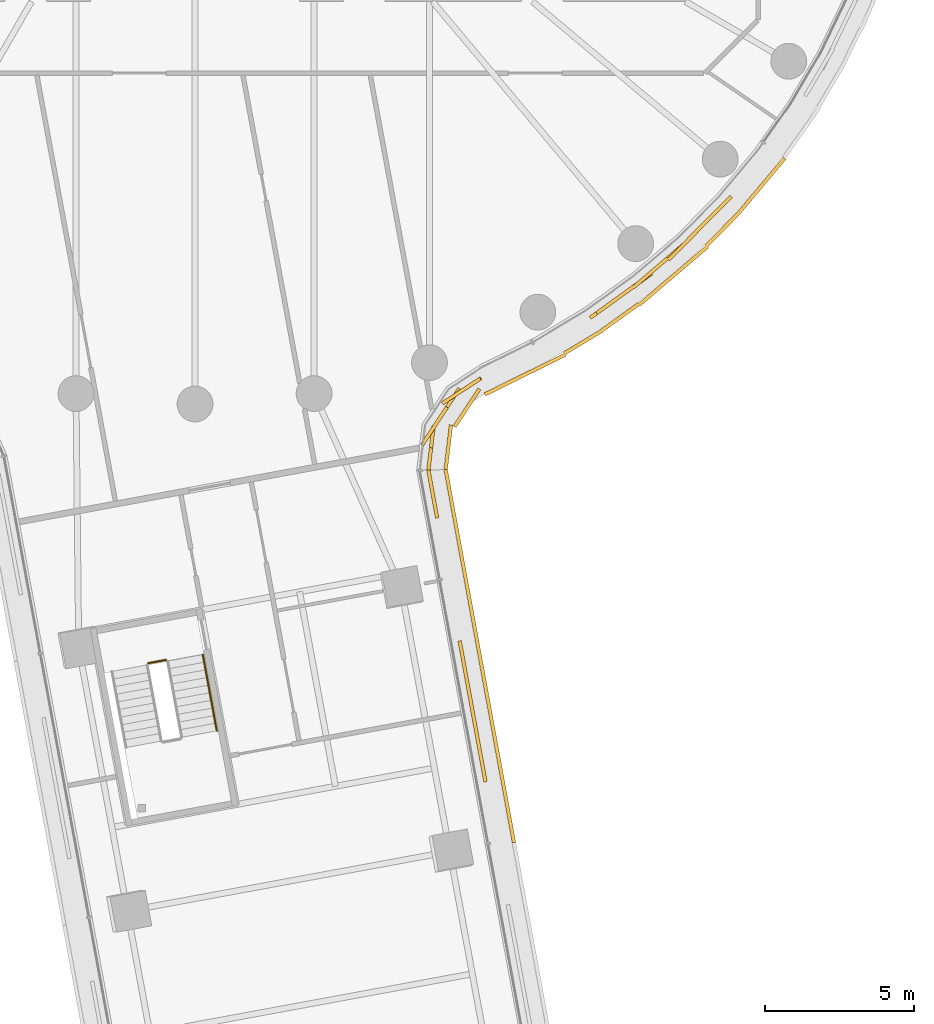
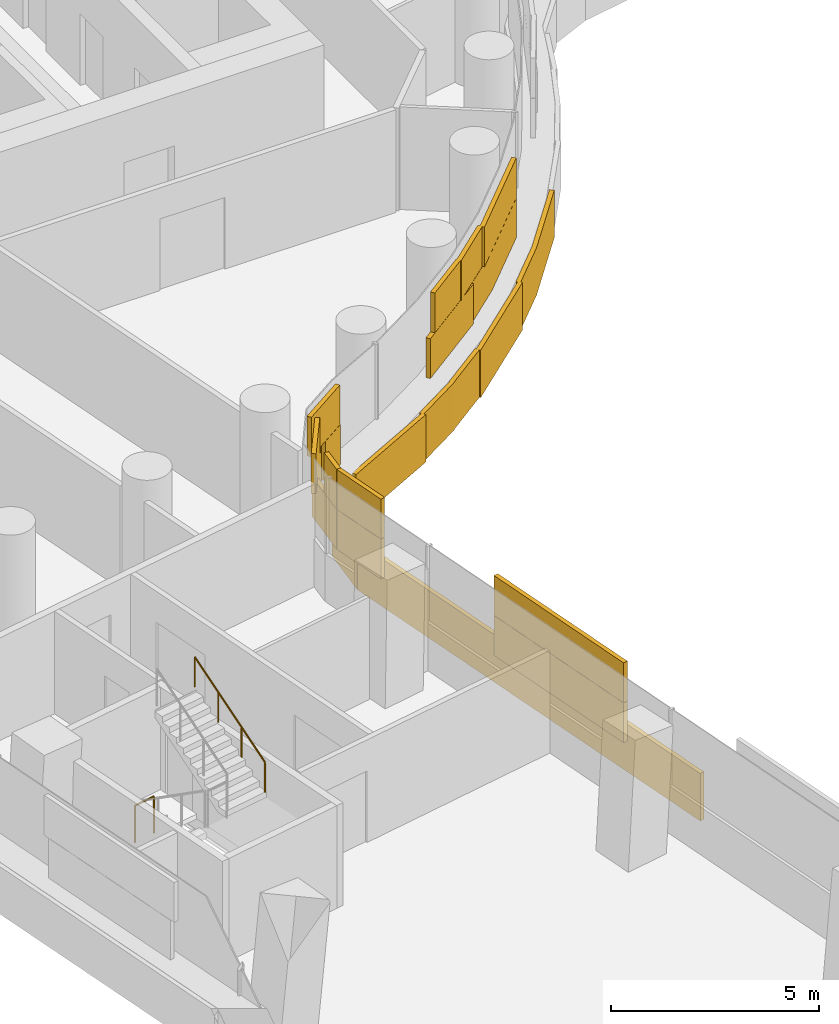
# One storey, part 27 of 33: 2 coverings, 2 railings.
"""IFC4 building model written with IfcOpenShell, lengths in metres."""

from ifc_helpers import new_model, si_unit, direction, frame, origin, origin_2d, place, context, subcontext, project, spatial, rectangle, circle, extrude, material, layer, layer_set, type_object, element, save


model = new_model("IFC4")

# Units and contexts
model_context = context("Model", 3, precision=1e-05, world=origin(), true_north=direction((0.0, 1.0)))
body_context = subcontext(model_context, "Body", "Model", "MODEL_VIEW")
ifc_project = project(units=[si_unit("LENGTHUNIT", "METRE"), si_unit("AREAUNIT", "SQUARE_METRE"), si_unit("VOLUMEUNIT", "CUBIC_METRE"), si_unit("PLANEANGLEUNIT", "RADIAN"), si_unit("MASSUNIT", "GRAM", prefix="KILO")], contexts=[model_context])

# Site, building, storey
site_placement = place(None, origin())
site = spatial("IfcSite", under=ifc_project, at=site_placement, CompositionType="ELEMENT")
building_placement = place(site_placement, origin())
building = spatial("IfcBuilding", under=site, at=building_placement, Name="Tamarind Cross Interchange Tower", CompositionType="ELEMENT")
storey_placement = place(building_placement, frame((0.0, 0.0, 71.5)))
storey = spatial("IfcBuildingStorey", under=building, at=storey_placement, Name="L16", CompositionType="ELEMENT", Elevation=71.5)

# Railings
ifc_material_1 = material(Name="Stair guard")
railing_type_1 = type_object("IfcRailingType", Name="Stair guard", PredefinedType="GUARDRAIL", material=ifc_material_1)
railing_1_placement = place(storey_placement, frame((-1.56787109375, -31.695068359375, 0.0)))
element("IfcRailing", 1, at=railing_1_placement, inside=storey, type_object=railing_type_1, Name="L16 ST6 stair guard 4", PredefinedType="GUARDRAIL", context=body_context, shape_type="SweptSolid", body=[
    extrude(circle(Radius=0.02392578125, at=origin_2d()), frame((0.0, 0.0, 1.076171875), z_axis=(0.983397821889, 0.1814627342, 0.0), x_axis=(-0.1814627342, 0.983397821889, 0.0)), (0.0, 0.0, 1.0), 0.60009765625),
    extrude(circle(Radius=0.02099609375, at=origin_2d()), origin(), (0.0, 0.0, 1.0), 1.052001953125),
    extrude(circle(Radius=0.02099609375, at=origin_2d()), frame((0.590087890625, 0.10888671875, 0.0)), (0.0, 0.0, 1.0), 1.052001953125),
])
ifc_material_2 = material(Name="Stair handrail")
railing_type_2 = type_object("IfcRailingType", Name="Stair handrail", PredefinedType="HANDRAIL", material=ifc_material_2)
railing_2_placement = place(storey_placement, frame((0.73193359375, -33.965576171875, 2.04541015625)))
element("IfcRailing", 2, at=railing_2_placement, inside=storey, type_object=railing_type_2, Name="L16 ST6 stair handrail 2", PredefinedType="HANDRAIL", context=body_context, shape_type="SweptSolid", body=[
    extrude(circle(Radius=0.02392578125, at=origin_2d()), frame((0.0, 0.0, 0.8759765625), z_axis=(-0.151638442794, 0.822428488544, 0.54828565903), x_axis=(-0.983423678231, -0.181322555396, 0.0)), (0.0, 0.0, 1.0), 3.10888671875),
    extrude(circle(Radius=0.02099609375, at=origin_2d()), origin(), (0.0, 0.0, 1.0), 0.851806640625),
    extrude(circle(Radius=0.02099609375, at=origin_2d()), frame((-0.1572265625, 0.852294921875, 0.568115234375)), (0.0, 0.0, 1.0), 0.851806640625),
    extrude(circle(Radius=0.02099609375, at=origin_2d()), frame((-0.314208984375, 1.70458984375, 1.136474609375)), (0.0, 0.0, 1.0), 0.851806640625),
    extrude(circle(Radius=0.02099609375, at=origin_2d()), frame((-0.471435546875, 2.556884765625, 1.70458984375)), (0.0, 0.0, 1.0), 0.851806640625),
])

# Coverings
ifc_material_3 = material(Name="Terracotta", Category="masonry")
ifc_layer = layer(ifc_material_3, 0.1201171875)
ifc_layer_set = layer_set([ifc_layer], Name="Terracotta")
covering_type = type_object("IfcCoveringType", Name="Terracotta baguette screen unit", PredefinedType="MOLDING", material=ifc_layer_set)
covering_1_placement = place(storey_placement, origin())
element("IfcCovering", 3, at=covering_1_placement, inside=storey, type_object=covering_type, Name="SCR-L16-05-01", PredefinedType="MOLDING", context=body_context, shape_type="SweptSolid", body=[
    extrude(rectangle(XDim=0.568603515625, YDim=0.1201171875, at=origin_2d()), frame((9.693359375, -35.397705078125, 1.404052734375), z_axis=(0.0, 0.0, 1.0), x_axis=(-0.180086190758, 0.98365083434, 0.0)), (0.0, 0.0, 1.0), 1.1669921875),
    extrude(rectangle(XDim=1.52001953125, YDim=0.1201171875, at=origin_2d()), frame((9.508056640625, -34.38525390625, 1.404052734375), z_axis=(0.0, 0.0, 1.0), x_axis=(-0.180086190758, 0.98365083434, 0.0)), (0.0, 0.0, 1.0), 1.1669921875),
    extrude(rectangle(XDim=1.52001953125, YDim=0.1201171875, at=origin_2d()), frame((9.23779296875, -32.90966796875, 1.404052734375), z_axis=(0.0, 0.0, 1.0), x_axis=(-0.180086190758, 0.98365083434, 0.0)), (0.0, 0.0, 1.0), 1.1669921875),
    extrude(rectangle(XDim=1.250732421875, YDim=0.1201171875, at=origin_2d()), frame((8.990966796875, -31.561767578125, 1.404052734375), z_axis=(0.0, 0.0, 1.0), x_axis=(-0.180086190758, 0.98365083434, 0.0)), (0.0, 0.0, 1.0), 1.1669921875),
    extrude(rectangle(XDim=0.5693359375, YDim=0.1201171875, at=origin_2d()), frame((8.072509765625, -26.545166015625, 1.404052734375), z_axis=(0.0, 0.0, 1.0), x_axis=(-0.180086190758, 0.98365083434, 0.0)), (0.0, 0.0, 1.0), 1.1669921875),
    extrude(rectangle(XDim=1.07958984375, YDim=0.1201171875, at=origin_2d()), frame((7.926025390625, -25.744140625, 1.404052734375), z_axis=(0.0, 0.0, 1.0), x_axis=(-0.180086190758, 0.98365083434, 0.0)), (0.0, 0.0, 1.0), 1.1669921875),
    extrude(rectangle(XDim=1.318603515625, YDim=0.1201171875, at=origin_2d()), frame((9.625732421875, -35.02880859375, 2.5791015625), z_axis=(0.0, 0.0, 1.0), x_axis=(-0.180086190758, 0.98365083434, 0.0)), (0.0, 0.0, 1.0), 1.1669921875),
    extrude(rectangle(XDim=1.52001953125, YDim=0.1201171875, at=origin_2d()), frame((9.372802734375, -33.6474609375, 2.5791015625), z_axis=(0.0, 0.0, 1.0), x_axis=(-0.180086190758, 0.98365083434, 0.0)), (0.0, 0.0, 1.0), 1.1669921875),
    extrude(rectangle(XDim=1.52001953125, YDim=0.1201171875, at=origin_2d()), frame((9.102783203125, -32.171875, 2.5791015625), z_axis=(0.0, 0.0, 1.0), x_axis=(-0.180086190758, 0.98365083434, 0.0)), (0.0, 0.0, 1.0), 1.1669921875),
    extrude(rectangle(XDim=0.500732421875, YDim=0.1201171875, at=origin_2d()), frame((8.923583984375, -31.19287109375, 2.5791015625), z_axis=(0.0, 0.0, 1.0), x_axis=(-0.180086190758, 0.98365083434, 0.0)), (0.0, 0.0, 1.0), 1.1669921875),
    extrude(rectangle(XDim=1.3193359375, YDim=0.1201171875, at=origin_2d()), frame((8.005126953125, -26.17626953125, 2.5791015625), z_axis=(0.0, 0.0, 1.0), x_axis=(-0.180086190758, 0.98365083434, 0.0)), (0.0, 0.0, 1.0), 1.1669921875),
    extrude(rectangle(XDim=0.32958984375, YDim=0.1201171875, at=origin_2d()), frame((7.8583984375, -25.375244140625, 2.5791015625), z_axis=(0.0, 0.0, 1.0), x_axis=(-0.180086190758, 0.98365083434, 0.0)), (0.0, 0.0, 1.0), 1.1669921875),
    extrude(rectangle(XDim=1.1728515625, YDim=0.1201171875, at=origin_2d()), frame((10.59521484375, -37.135986328125, 0.00390625), z_axis=(0.0, 0.0, 1.0), x_axis=(-0.180086190758, 0.98365083434, 0.0)), (0.0, 0.0, 1.0), 1.39208984375),
    extrude(rectangle(XDim=1.52001953125, YDim=0.1201171875, at=origin_2d()), frame((10.356201171875, -35.831298828125, 0.00390625), z_axis=(0.0, 0.0, 1.0), x_axis=(-0.180086190758, 0.98365083434, 0.0)), (0.0, 0.0, 1.0), 1.39208984375),
    extrude(rectangle(XDim=1.52001953125, YDim=0.1201171875, at=origin_2d()), frame((10.086181640625, -34.355712890625, 0.00390625), z_axis=(0.0, 0.0, 1.0), x_axis=(-0.180086190758, 0.98365083434, 0.0)), (0.0, 0.0, 1.0), 1.39208984375),
    extrude(rectangle(XDim=1.52001953125, YDim=0.1201171875, at=origin_2d()), frame((9.81591796875, -32.88037109375, 0.00390625), z_axis=(0.0, 0.0, 1.0), x_axis=(-0.180086190758, 0.98365083434, 0.0)), (0.0, 0.0, 1.0), 1.39208984375),
    extrude(rectangle(XDim=1.52001953125, YDim=0.1201171875, at=origin_2d()), frame((9.5458984375, -31.40478515625, 0.00390625), z_axis=(0.0, 0.0, 1.0), x_axis=(-0.180086190758, 0.98365083434, 0.0)), (0.0, 0.0, 1.0), 1.39208984375),
    extrude(rectangle(XDim=1.52001953125, YDim=0.1201171875, at=origin_2d()), frame((9.275634765625, -29.929443359375, 0.00390625), z_axis=(0.0, 0.0, 1.0), x_axis=(-0.180086190758, 0.98365083434, 0.0)), (0.0, 0.0, 1.0), 1.39208984375),
    extrude(rectangle(XDim=1.52001953125, YDim=0.1201171875, at=origin_2d()), frame((9.005615234375, -28.453857421875, 0.00390625), z_axis=(0.0, 0.0, 1.0), x_axis=(-0.180086190758, 0.98365083434, 0.0)), (0.0, 0.0, 1.0), 1.39208984375),
    extrude(rectangle(XDim=1.52001953125, YDim=0.1201171875, at=origin_2d()), frame((8.735595703125, -26.978271484375, 0.00390625), z_axis=(0.0, 0.0, 1.0), x_axis=(-0.180086190758, 0.98365083434, 0.0)), (0.0, 0.0, 1.0), 1.39208984375),
    extrude(rectangle(XDim=1.068115234375, YDim=0.1201171875, at=origin_2d()), frame((8.506103515625, -25.72509765625, 0.00390625), z_axis=(0.0, 0.0, 1.0), x_axis=(-0.180086190758, 0.98365083434, 0.0)), (0.0, 0.0, 1.0), 1.39208984375),
])
covering_2_placement = place(storey_placement, origin())
element("IfcCovering", 4, at=covering_2_placement, inside=storey, type_object=covering_type, Name="SCR-L16-06-00", PredefinedType="MOLDING", context=body_context, shape_type="SweptSolid", body=[
    extrude(rectangle(XDim=1.510009765625, YDim=0.1201171875, at=origin_2d()), frame((7.91796875, -24.47314453125, 1.404052734375), z_axis=(0.0, 0.0, 1.0), x_axis=(0.11776020703, 0.993042060358, 0.0)), (0.0, 0.0, 1.0), 1.1669921875),
    extrude(rectangle(XDim=1.52001953125, YDim=0.1201171875, at=origin_2d()), frame((8.448486328125, -23.11279296875, 1.404052734375), z_axis=(0.0, 0.0, 1.0), x_axis=(0.549037377395, 0.835797797451, 0.0)), (0.0, 0.0, 1.0), 1.1669921875),
    extrude(rectangle(XDim=0.791015625, YDim=0.1201171875, at=origin_2d()), frame((9.263427734375, -22.3486328125, 1.404052734375), z_axis=(0.0, 0.0, 1.0), x_axis=(0.836698400443, 0.54766393591, 0.0)), (0.0, 0.0, 1.0), 1.1669921875),
    extrude(rectangle(XDim=1.029052734375, YDim=0.1201171875, at=origin_2d()), frame((13.676025390625, -19.8076171875, 1.404052734375), z_axis=(0.0, 0.0, 1.0), x_axis=(0.811340475102, 0.584573890505, 0.0)), (0.0, 0.0, 1.0), 1.1669921875),
    extrude(rectangle(XDim=1.52001953125, YDim=0.1201171875, at=origin_2d()), frame((14.697998046875, -19.0712890625, 1.404052734375), z_axis=(0.0, 0.0, 1.0), x_axis=(0.811340475102, 0.584573890505, 0.0)), (0.0, 0.0, 1.0), 1.1669921875),
    extrude(rectangle(XDim=1.52001953125, YDim=0.1201171875, at=origin_2d()), frame((15.849609375, -18.111328125, 1.404052734375), z_axis=(0.0, 0.0, 1.0), x_axis=(0.760295606781, 0.64957723968, 0.0)), (0.0, 0.0, 1.0), 1.1669921875),
    extrude(rectangle(XDim=1.52001953125, YDim=0.1201171875, at=origin_2d()), frame((16.945556640625, -17.089111328125, 1.404052734375), z_axis=(0.0, 0.0, 1.0), x_axis=(0.704057148523, 0.710143317658, 0.0)), (0.0, 0.0, 1.0), 1.1669921875),
    extrude(rectangle(XDim=0.741943359375, YDim=0.1201171875, at=origin_2d()), frame((17.731201171875, -16.296630859375, 1.404052734375), z_axis=(0.0, 0.0, 1.0), x_axis=(0.704057148523, 0.710143317658, 0.0)), (0.0, 0.0, 1.0), 1.1669921875),
    extrude(rectangle(XDim=0.760009765625, YDim=0.1201171875, at=origin_2d()), frame((7.873779296875, -24.845703125, 2.5791015625), z_axis=(0.0, 0.0, 1.0), x_axis=(0.11776020703, 0.993042060358, 0.0)), (0.0, 0.0, 1.0), 1.1669921875),
    extrude(rectangle(XDim=1.52001953125, YDim=0.1201171875, at=origin_2d()), frame((8.03662109375, -23.739501953125, 2.5791015625), z_axis=(0.0, 0.0, 1.0), x_axis=(0.549037377395, 0.835797797451, 0.0)), (0.0, 0.0, 1.0), 1.1669921875),
    extrude(rectangle(XDim=1.52001953125, YDim=0.1201171875, at=origin_2d()), frame((8.9365234375, -22.5625, 2.5791015625), z_axis=(0.0, 0.0, 1.0), x_axis=(0.836698400443, 0.54766393591, 0.0)), (0.0, 0.0, 1.0), 1.1669921875),
    extrude(rectangle(XDim=1.52001953125, YDim=0.1201171875, at=origin_2d()), frame((14.08935546875, -19.509765625, 2.5791015625), z_axis=(0.0, 0.0, 1.0), x_axis=(0.811340475102, 0.584573890505, 0.0)), (0.0, 0.0, 1.0), 1.1669921875),
    extrude(rectangle(XDim=1.52001953125, YDim=0.1201171875, at=origin_2d()), frame((15.279296875, -18.598388671875, 2.5791015625), z_axis=(0.0, 0.0, 1.0), x_axis=(0.760295606781, 0.64957723968, 0.0)), (0.0, 0.0, 1.0), 1.1669921875),
    extrude(rectangle(XDim=1.52001953125, YDim=0.1201171875, at=origin_2d()), frame((16.41748046875, -17.62158203125, 2.5791015625), z_axis=(0.0, 0.0, 1.0), x_axis=(0.704057148523, 0.710143317658, 0.0)), (0.0, 0.0, 1.0), 1.1669921875),
    extrude(rectangle(XDim=1.491943359375, YDim=0.1201171875, at=origin_2d()), frame((17.46728515625, -16.562744140625, 2.5791015625), z_axis=(0.0, 0.0, 1.0), x_axis=(0.704057148523, 0.710143317658, 0.0)), (0.0, 0.0, 1.0), 1.1669921875),
    extrude(rectangle(XDim=1.510009765625, YDim=0.1201171875, at=origin_2d()), frame((8.498779296875, -24.449951171875, 0.00390625), z_axis=(0.0, 0.0, 1.0), x_axis=(0.11776020703, 0.993042060358, 0.0)), (0.0, 0.0, 1.0), 1.39208984375),
    extrude(rectangle(XDim=1.52001953125, YDim=0.1201171875, at=origin_2d()), frame((9.124267578125, -23.12939453125, 0.00390625), z_axis=(0.0, 0.0, 1.0), x_axis=(0.549037377395, 0.835797797451, 0.0)), (0.0, 0.0, 1.0), 1.39208984375),
    extrude(rectangle(XDim=1.52001953125, YDim=0.1201171875, at=origin_2d()), frame((10.3994140625, -22.3447265625, 0.00390625), z_axis=(0.0, 0.0, 1.0), x_axis=(0.896492548518, 0.443058811505, 0.0)), (0.0, 0.0, 1.0), 1.39208984375),
    extrude(rectangle(XDim=1.52001953125, YDim=0.1201171875, at=origin_2d()), frame((11.744140625, -21.68017578125, 0.00390625), z_axis=(0.0, 0.0, 1.0), x_axis=(0.896492548518, 0.443058811505, 0.0)), (0.0, 0.0, 1.0), 1.39208984375),
    extrude(rectangle(XDim=1.52001953125, YDim=0.1201171875, at=origin_2d()), frame((13.033203125, -20.913818359375, 0.00390625), z_axis=(0.0, 0.0, 1.0), x_axis=(0.856843065292, 0.515577308909, 0.0)), (0.0, 0.0, 1.0), 1.39208984375),
    extrude(rectangle(XDim=1.52001953125, YDim=0.1201171875, at=origin_2d()), frame((14.279052734375, -20.08056640625, 0.00390625), z_axis=(0.0, 0.0, 1.0), x_axis=(0.811340475102, 0.584573890505, 0.0)), (0.0, 0.0, 1.0), 1.39208984375),
    extrude(rectangle(XDim=1.52001953125, YDim=0.1201171875, at=origin_2d()), frame((15.4794921875, -19.182373046875, 0.00390625), z_axis=(0.0, 0.0, 1.0), x_axis=(0.760295606781, 0.64957723968, 0.0)), (0.0, 0.0, 1.0), 1.39208984375),
    extrude(rectangle(XDim=1.52001953125, YDim=0.1201171875, at=origin_2d()), frame((16.619873046875, -18.2080078125, 0.00390625), z_axis=(0.0, 0.0, 1.0), x_axis=(0.760295606781, 0.64957723968, 0.0)), (0.0, 0.0, 1.0), 1.39208984375),
    extrude(rectangle(XDim=1.52001953125, YDim=0.1201171875, at=origin_2d()), frame((17.687744140625, -17.15576171875, 0.00390625), z_axis=(0.0, 0.0, 1.0), x_axis=(0.704057148523, 0.710143317658, 0.0)), (0.0, 0.0, 1.0), 1.39208984375),
    extrude(rectangle(XDim=1.52001953125, YDim=0.1201171875, at=origin_2d()), frame((18.697998046875, -16.048583984375, 0.00390625), z_axis=(0.0, 0.0, 1.0), x_axis=(0.643009266048, 0.765858396687, 0.0)), (0.0, 0.0, 1.0), 1.39208984375),
    extrude(rectangle(XDim=0.947265625, YDim=0.1201171875, at=origin_2d()), frame((19.478515625, -15.119140625, 0.00390625), z_axis=(0.0, 0.0, 1.0), x_axis=(0.643009266048, 0.765858396687, 0.0)), (0.0, 0.0, 1.0), 1.39208984375),
])

save(model, "model.ifc")
